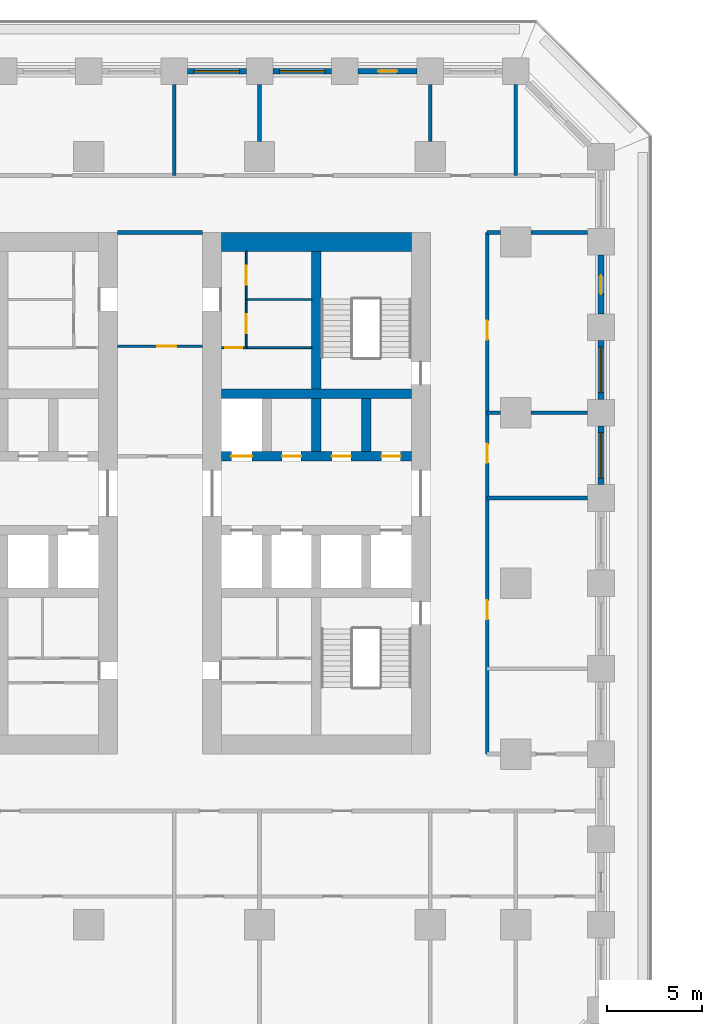
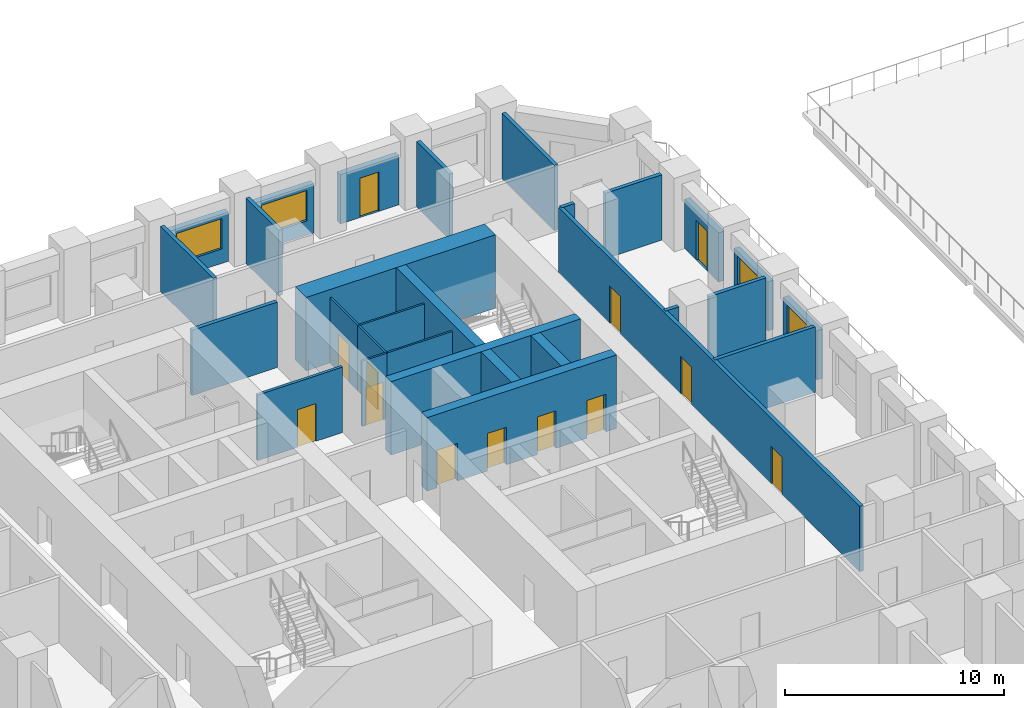
# One storey, part 23 of 30: 29 walls, 13 doors, 4 windows, 17 openings.
"""IFC4 building model written with IfcOpenShell, lengths in metres."""

from ifc_helpers import new_model, si_unit, direction, frame, frame_2d, origin, place, context, subcontext, project, spatial, rectangle, extrude, material, layer, layer_set, type_object, element, fill, save


model = new_model("IFC4")

# Units and contexts
model_context = context("Model", 3, precision=1e-05, world=origin(), true_north=direction((0.0, 1.0)))
body_context = subcontext(model_context, "Body", "Model", "MODEL_VIEW")
ifc_project = project(units=[si_unit("LENGTHUNIT", "METRE"), si_unit("AREAUNIT", "SQUARE_METRE"), si_unit("VOLUMEUNIT", "CUBIC_METRE"), si_unit("PLANEANGLEUNIT", "RADIAN"), si_unit("MASSUNIT", "GRAM", prefix="KILO")], contexts=[model_context])

# Site, building, storey
site_placement = place(None, origin())
site = spatial("IfcSite", under=ifc_project, at=site_placement, CompositionType="ELEMENT")
building_placement = place(site_placement, origin())
building = spatial("IfcBuilding", under=site, at=building_placement, Name="Corbel Stack Research Tower", CompositionType="ELEMENT")
storey_placement = place(building_placement, frame((0.0, 0.0, 19.5)))
storey = spatial("IfcBuildingStorey", under=building, at=storey_placement, Name="L04", CompositionType="ELEMENT", Elevation=19.5)

# Wall
ifc_material_1 = material(Name="Concrete C70/85", Category="concrete")
ifc_layer_1 = layer(ifc_material_1, 1.0)
ifc_layer_set_1 = layer_set([ifc_layer_1], Name="Concrete C70/85")
wall_type_1 = type_object("IfcWallType", Name="CW-1000-70", PredefinedType="SHEAR", material=ifc_layer_set_1)
wall_1_placement = place(storey_placement, frame((7.0, 18.0, 0.0), z_axis=(0.0, 0.0, 1.0), x_axis=(1.0, 0.0, 0.0)))
element("IfcWall", 1, at=wall_1_placement, inside=storey, type_object=wall_type_1, Name="East core wall, north end L04", PredefinedType="SHEAR", context=body_context, shape_type="SweptSolid", body=[
    extrude(rectangle(XDim=10.0, YDim=1.0, at=frame_2d((5.0, 0.0))), origin(), (0.0, 0.0, 1.0), 4.10009765625),
])

# Wall, openings, doors
ifc_material_2 = material(Name="Concrete C70/85", Category="concrete")
ifc_layer_2 = layer(ifc_material_2, 0.5)
ifc_layer_set_2 = layer_set([ifc_layer_2], Name="Concrete C70/85")
wall_type_2 = type_object("IfcWallType", Name="CW-500-70", PredefinedType="SHEAR", material=ifc_layer_set_2)
wall_2_placement = place(storey_placement, frame((7.0, 6.699951171875, 0.0), z_axis=(0.0, 0.0, 1.0), x_axis=(1.0, 0.0, 0.0)))
wall_2 = element("IfcWall", 2, at=wall_2_placement, inside=storey, type_object=wall_type_2, Name="East core wall, lobby north L04", PredefinedType="SHEAR", context=body_context, shape_type="SweptSolid", body=[
    extrude(rectangle(XDim=10.0, YDim=0.5, at=frame_2d((5.0, 0.0))), origin(), (0.0, 0.0, 1.0), 4.10009765625),
])
opening_1_placement = place(wall_2_placement, frame((0.512451171875, 0.0, 0.0)))
opening_1 = element("IfcOpeningElement", 3, at=opening_1_placement, cuts=wall_2, Name="Opening LD-LR4", PredefinedType="OPENING", context=body_context, shape_type="SweptSolid", body=[
    extrude(rectangle(XDim=1.10009765625, YDim=2.10009765625, at=frame_2d((0.550048828125, 1.050048828125))), frame((0.0, 0.260009765625, 0.0), z_axis=(0.0, -1.0, 0.0), x_axis=(1.0, 0.0, 0.0)), (0.0, 0.0, 1.0), 0.52001953125),
])
opening_2_placement = place(wall_2_placement, frame((3.1875, 0.0, 0.0)))
opening_2 = element("IfcOpeningElement", 4, at=opening_2_placement, cuts=wall_2, Name="Opening CR-E24-N2", PredefinedType="OPENING", context=body_context, shape_type="SweptSolid", body=[
    extrude(rectangle(XDim=1.0, YDim=2.10009765625, at=frame_2d((0.5, 1.050048828125))), frame((0.0, 0.260009765625, 0.0), z_axis=(0.0, -1.0, 0.0), x_axis=(1.0, 0.0, 0.0)), (0.0, 0.0, 1.0), 0.52001953125),
])
opening_3_placement = place(wall_2_placement, frame((5.8125, 0.0, 0.0)))
opening_3 = element("IfcOpeningElement", 5, at=opening_3_placement, cuts=wall_2, Name="Opening CR-E24-N3", PredefinedType="OPENING", context=body_context, shape_type="SweptSolid", body=[
    extrude(rectangle(XDim=1.0, YDim=2.10009765625, at=frame_2d((0.5, 1.050048828125))), frame((0.0, 0.260009765625, 0.0), z_axis=(0.0, -1.0, 0.0), x_axis=(1.0, 0.0, 0.0)), (0.0, 0.0, 1.0), 0.52001953125),
])
opening_4_placement = place(wall_2_placement, frame((8.4375, 0.0, 0.0)))
opening_4 = element("IfcOpeningElement", 6, at=opening_4_placement, cuts=wall_2, Name="Opening CR-E24-N4", PredefinedType="OPENING", context=body_context, shape_type="SweptSolid", body=[
    extrude(rectangle(XDim=1.0, YDim=2.10009765625, at=frame_2d((0.5, 1.050048828125))), frame((0.0, 0.260009765625, 0.0), z_axis=(0.0, -1.0, 0.0), x_axis=(1.0, 0.0, 0.0)), (0.0, 0.0, 1.0), 0.52001953125),
])
ifc_material_3 = material(Name="Stainless steel landing door", Category="steel")
door_type_1 = type_object("IfcDoorType", Name="Lift landing door 1100 x 2100", OperationType="DOUBLE_DOOR_SLIDING", PredefinedType="DOOR", material=ifc_material_3)
door_1_placement = place(opening_1_placement, origin())
door_1 = element("IfcDoor", 7, at=door_1_placement, inside=storey, type_object=door_type_1, Name="Landing door LR4", OperationType="DOUBLE_DOOR_SLIDING", OverallHeight=2.10009765625, OverallWidth=1.10009765625, PredefinedType="DOOR", context=body_context, shape_type="SweptSolid", body=[
    extrude(rectangle(XDim=1.10009765625, YDim=2.10009765625, at=frame_2d((0.550048828125, 1.050048828125))), frame((0.0, 0.02490234375, 0.0), z_axis=(0.0, -1.0, 0.0), x_axis=(1.0, 0.0, 0.0)), (0.0, 0.0, 1.0), 0.050048828125),
])
fill(opening_1, door_1)
ifc_material_4 = material(Name="Painted steel door", Category="steel")
door_type_2 = type_object("IfcDoorType", Name="Service door 1000 x 2100 FD60 left hand", OperationType="SINGLE_SWING_LEFT", PredefinedType="DOOR", material=ifc_material_4)
door_2_placement = place(opening_3_placement, origin())
door_2 = element("IfcDoor", 8, at=door_2_placement, inside=storey, type_object=door_type_2, Name="Telecom room door E core", OperationType="SINGLE_SWING_LEFT", OverallHeight=2.10009765625, OverallWidth=1.0, PredefinedType="DOOR", context=body_context, shape_type="SweptSolid", body=[
    extrude(rectangle(XDim=1.0, YDim=2.10009765625, at=frame_2d((0.5, 1.050048828125))), frame((0.0, 0.02490234375, 0.0), z_axis=(0.0, -1.0, 0.0), x_axis=(1.0, 0.0, 0.0)), (0.0, 0.0, 1.0), 0.050048828125),
])
fill(opening_3, door_2)
ifc_material_5 = material(Name="Painted steel door", Category="steel")
door_type_3 = type_object("IfcDoorType", Name="Service door 1000 x 2100 FD60 right hand", OperationType="SINGLE_SWING_RIGHT", PredefinedType="DOOR", material=ifc_material_5)
door_3_placement = place(opening_2_placement, origin())
door_3 = element("IfcDoor", 9, at=door_3_placement, inside=storey, type_object=door_type_3, Name="Mechanical room door E core", OperationType="SINGLE_SWING_RIGHT", OverallHeight=2.10009765625, OverallWidth=1.0, PredefinedType="DOOR", context=body_context, shape_type="SweptSolid", body=[
    extrude(rectangle(XDim=1.0, YDim=2.10009765625, at=frame_2d((0.5, 1.050048828125))), frame((0.0, 0.02490234375, 0.0), z_axis=(0.0, -1.0, 0.0), x_axis=(1.0, 0.0, 0.0)), (0.0, 0.0, 1.0), 0.050048828125),
])
fill(opening_2, door_3)
door_4_placement = place(opening_4_placement, origin())
door_4 = element("IfcDoor", 10, at=door_4_placement, inside=storey, type_object=door_type_3, Name="Copy and supply store door E core", OperationType="SINGLE_SWING_RIGHT", OverallHeight=2.10009765625, OverallWidth=1.0, PredefinedType="DOOR", context=body_context, shape_type="SweptSolid", body=[
    extrude(rectangle(XDim=1.0, YDim=2.10009765625, at=frame_2d((0.5, 1.050048828125))), frame((0.0, 0.02490234375, 0.0), z_axis=(0.0, -1.0, 0.0), x_axis=(1.0, 0.0, 0.0)), (0.0, 0.0, 1.0), 0.050048828125),
])
fill(opening_4, door_4)

# Walls
wall_3_placement = place(storey_placement, frame((7.0, 10.0, 0.0), z_axis=(0.0, 0.0, 1.0), x_axis=(1.0, 0.0, 0.0)))
element("IfcWall", 11, at=wall_3_placement, inside=storey, type_object=wall_type_2, Name="East core wall, north row back L04", PredefinedType="SHEAR", context=body_context, shape_type="SweptSolid", body=[
    extrude(rectangle(XDim=10.0, YDim=0.5, at=frame_2d((5.0, 0.0))), origin(), (0.0, 0.0, 1.0), 4.10009765625),
])
for number, where, z_axis, x_axis, name in (
    (12, (12.0, 6.949951171875, 0.0), (0.0, 0.0, 1.0), (0.0, 1.0, 0.0), "East core wall, north shaft 2 L04"),
    (13, (14.625, 6.949951171875, 0.0), (0.0, 0.0, 1.0), (0.0, 1.0, 0.0), "East core wall, north shaft 3 L04"),
):
    element("IfcWall", number, at=place(storey_placement, frame(where, z_axis=z_axis, x_axis=x_axis)), inside=storey, type_object=wall_type_2, Name=name, PredefinedType="SHEAR", context=body_context, shape_type="SweptSolid", body=[
        extrude(rectangle(XDim=2.800048828125, YDim=0.5, at=frame_2d((1.39990234375, 0.0))), origin(), (0.0, 0.0, 1.0), 4.10009765625),
    ])
wall_4_placement = place(storey_placement, frame((12.0, 10.25, 0.0), z_axis=(0.0, 0.0, 1.0), x_axis=(0.0, 1.0, 0.0)))
element("IfcWall", 14, at=wall_4_placement, inside=storey, type_object=wall_type_2, Name="East core wall, north stair and riser L04", PredefinedType="SHEAR", context=body_context, shape_type="SweptSolid", body=[
    extrude(rectangle(XDim=7.25, YDim=0.5, at=frame_2d((3.625, 0.0))), origin(), (0.0, 0.0, 1.0), 4.10009765625),
])

# Wall, opening, door
ifc_material_6 = material(Name="Gypsum board")
ifc_layer_3 = layer(ifc_material_6, 0.10009765625)
ifc_layer_set_3 = layer_set([ifc_layer_3], Name="Gypsum board")
wall_type_3 = type_object("IfcWallType", Name="Core partition 100", PredefinedType="PARTITIONING", material=ifc_layer_set_3)
wall_5_placement = place(storey_placement, frame((7.0, 12.425048828125, 0.0), z_axis=(0.0, 0.0, 1.0), x_axis=(1.0, 0.0, 0.0)))
wall_5 = element("IfcWall", 15, at=wall_5_placement, inside=storey, type_object=wall_type_3, Name="Core partition E", PredefinedType="PARTITIONING", context=body_context, shape_type="SweptSolid", body=[
    extrude(rectangle(XDim=1.300048828125, YDim=0.10009765625, at=frame_2d((0.64990234375, 0.0))), origin(), (0.0, 0.0, 1.0), 3.64990234375),
])
opening_5_placement = place(wall_5_placement, frame((0.199951171875, 0.0, 0.0)))
opening_5 = element("IfcOpeningElement", 16, at=opening_5_placement, cuts=wall_5, Name="Opening CR-E24-R1-900", PredefinedType="OPENING", context=body_context, shape_type="SweptSolid", body=[
    extrude(rectangle(XDim=0.89990234375, YDim=2.10009765625, at=frame_2d((0.449951171875, 1.050048828125))), frame((0.0, 0.06005859375, 0.0), z_axis=(0.0, -1.0, 0.0), x_axis=(1.0, 0.0, 0.0)), (0.0, 0.0, 1.0), 0.1201171875),
])
ifc_material_7 = material(Name="Painted steel door", Category="steel")
door_type_4 = type_object("IfcDoorType", Name="Riser door 900 x 2100 FD60 right hand", OperationType="SINGLE_SWING_RIGHT", PredefinedType="DOOR", material=ifc_material_7)
door_5_placement = place(opening_5_placement, origin())
door_5 = element("IfcDoor", 17, at=door_5_placement, inside=storey, type_object=door_type_4, Name="Electrical riser door E core", OperationType="SINGLE_SWING_RIGHT", OverallHeight=2.10009765625, OverallWidth=0.89990234375, PredefinedType="DOOR", context=body_context, shape_type="SweptSolid", body=[
    extrude(rectangle(XDim=0.89990234375, YDim=2.10009765625, at=frame_2d((0.449951171875, 1.050048828125))), frame((0.0, 0.02490234375, 0.0), z_axis=(0.0, -1.0, 0.0), x_axis=(1.0, 0.0, 0.0)), (0.0, 0.0, 1.0), 0.050048828125),
])
fill(opening_5, door_5)

# Wall
wall_6_placement = place(storey_placement, frame((8.300048828125, 12.425048828125, 0.0), z_axis=(0.0, 0.0, 1.0), x_axis=(1.0, 0.0, 0.0)))
element("IfcWall", 18, at=wall_6_placement, inside=storey, type_object=wall_type_3, Name="Core partition E", PredefinedType="PARTITIONING", context=body_context, shape_type="SweptSolid", body=[
    extrude(rectangle(XDim=3.449951171875, YDim=0.10009765625, at=frame_2d((1.72509765625, 0.0))), origin(), (0.0, 0.0, 1.0), 3.64990234375),
])

# Wall, opening, door
wall_7_placement = place(storey_placement, frame((8.300048828125, 12.425048828125, 0.0), z_axis=(0.0, 0.0, 1.0), x_axis=(0.0, 1.0, 0.0)))
wall_7 = element("IfcWall", 19, at=wall_7_placement, inside=storey, type_object=wall_type_3, Name="Core partition E", PredefinedType="PARTITIONING", context=body_context, shape_type="SweptSolid", body=[
    extrude(rectangle(XDim=2.537353515625, YDim=0.10009765625, at=frame_2d((1.2685546875, 0.0))), origin(), (0.0, 0.0, 1.0), 3.64990234375),
])
opening_6_placement = place(wall_7_placement, frame((0.768798828125, 0.0, 0.0)))
opening_6 = element("IfcOpeningElement", 20, at=opening_6_placement, cuts=wall_7, Name="Opening CR-E24-R3-1000", PredefinedType="OPENING", context=body_context, shape_type="SweptSolid", body=[
    extrude(rectangle(XDim=1.0, YDim=2.10009765625, at=frame_2d((0.5, 1.050048828125))), frame((0.0, 0.06005859375, 0.0), z_axis=(0.0, -1.0, 0.0), x_axis=(1.0, 0.0, 0.0)), (0.0, 0.0, 1.0), 0.1201171875),
])
ifc_material_8 = material(Name="Painted steel door", Category="steel")
door_type_5 = type_object("IfcDoorType", Name="Service door 1000 x 2100 FD30 right hand", OperationType="SINGLE_SWING_RIGHT", PredefinedType="DOOR", material=ifc_material_8)
door_6_placement = place(opening_6_placement, origin())
door_6 = element("IfcDoor", 21, at=door_6_placement, inside=storey, type_object=door_type_5, Name="Pantry door E core", OperationType="SINGLE_SWING_RIGHT", OverallHeight=2.10009765625, OverallWidth=1.0, PredefinedType="DOOR", context=body_context, shape_type="SweptSolid", body=[
    extrude(rectangle(XDim=1.0, YDim=2.10009765625, at=frame_2d((0.5, 1.050048828125))), frame((0.0, 0.02490234375, 0.0), z_axis=(0.0, -1.0, 0.0), x_axis=(1.0, 0.0, 0.0)), (0.0, 0.0, 1.0), 0.050048828125),
])
fill(opening_6, door_6)

wall_8_placement = place(storey_placement, frame((8.300048828125, 14.96240234375, 0.0), z_axis=(0.0, 0.0, 1.0), x_axis=(0.0, 1.0, 0.0)))
wall_8 = element("IfcWall", 22, at=wall_8_placement, inside=storey, type_object=wall_type_3, Name="Core partition E", PredefinedType="PARTITIONING", context=body_context, shape_type="SweptSolid", body=[
    extrude(rectangle(XDim=2.53759765625, YDim=0.10009765625, at=frame_2d((1.268798828125, 0.0))), origin(), (0.0, 0.0, 1.0), 3.64990234375),
])
opening_7_placement = place(wall_8_placement, frame((0.768798828125, 0.0, 0.0)))
opening_7 = element("IfcOpeningElement", 23, at=opening_7_placement, cuts=wall_8, Name="Opening CR-E24-R4-1000", PredefinedType="OPENING", context=body_context, shape_type="SweptSolid", body=[
    extrude(rectangle(XDim=1.0, YDim=2.10009765625, at=frame_2d((0.5, 1.050048828125))), frame((0.0, 0.06005859375, 0.0), z_axis=(0.0, -1.0, 0.0), x_axis=(1.0, 0.0, 0.0)), (0.0, 0.0, 1.0), 0.1201171875),
])
ifc_material_9 = material(Name="Painted steel door", Category="steel")
door_type_6 = type_object("IfcDoorType", Name="Service door 1000 x 2100 FD30 left hand", OperationType="SINGLE_SWING_LEFT", PredefinedType="DOOR", material=ifc_material_9)
door_7_placement = place(opening_7_placement, origin())
door_7 = element("IfcDoor", 24, at=door_7_placement, inside=storey, type_object=door_type_6, Name="Copy and supply store door E core", OperationType="SINGLE_SWING_LEFT", OverallHeight=2.10009765625, OverallWidth=1.0, PredefinedType="DOOR", context=body_context, shape_type="SweptSolid", body=[
    extrude(rectangle(XDim=1.0, YDim=2.10009765625, at=frame_2d((0.5, 1.050048828125))), frame((0.0, 0.02490234375, 0.0), z_axis=(0.0, -1.0, 0.0), x_axis=(1.0, 0.0, 0.0)), (0.0, 0.0, 1.0), 0.050048828125),
])
fill(opening_7, door_7)

# Walls
wall_9_placement = place(storey_placement, frame((8.300048828125, 14.96240234375, 0.0), z_axis=(0.0, 0.0, 1.0), x_axis=(1.0, 0.0, 0.0)))
element("IfcWall", 25, at=wall_9_placement, inside=storey, type_object=wall_type_3, Name="Core partition E", PredefinedType="PARTITIONING", context=body_context, shape_type="SweptSolid", body=[
    extrude(rectangle(XDim=3.449951171875, YDim=0.10009765625, at=frame_2d((1.72509765625, 0.0))), origin(), (0.0, 0.0, 1.0), 3.64990234375),
])
ifc_material_10 = material(Name="Fire-rated gypsum board partition on steel studs", Category="steel")
ifc_layer_4 = layer(ifc_material_10, 0.199951171875)
ifc_layer_set_4 = layer_set([ifc_layer_4], Name="Fire-rated gypsum board partition on steel studs")
wall_type_4 = type_object("IfcWallType", Name="Fire-rated partition 200 EI 60", PredefinedType="PARTITIONING", material=ifc_layer_set_4)
wall_10_placement = place(storey_placement, frame((4.5, 21.5, 0.0), z_axis=(0.0, 0.0, 1.0), x_axis=(0.0, 1.0, 0.0)))
element("IfcWall", 26, at=wall_10_placement, inside=storey, type_object=wall_type_4, Name="Partition L04-013", PredefinedType="PARTITIONING", context=body_context, shape_type="SweptSolid", body=[
    extrude(rectangle(XDim=4.800048828125, YDim=0.199951171875, at=frame_2d((2.39990234375, 0.0))), origin(), (0.0, 0.0, 1.0), 3.64990234375),
])
for number, where, z_axis, x_axis, name in (
    (27, (9.0, 23.300048828125, 0.0), (0.0, 0.0, 1.0), (0.0, 1.0, 0.0), "Partition L04-016"),
    (28, (18.0, 23.300048828125, 0.0), (0.0, 0.0, 1.0), (0.0, 1.0, 0.0), "Partition L04-019"),
):
    element("IfcWall", number, at=place(storey_placement, frame(where, z_axis=z_axis, x_axis=x_axis)), inside=storey, type_object=wall_type_4, Name=name, PredefinedType="PARTITIONING", context=body_context, shape_type="SweptSolid", body=[
        extrude(rectangle(XDim=3.0, YDim=0.199951171875, at=frame_2d((1.5, 0.0))), origin(), (0.0, 0.0, 1.0), 3.64990234375),
    ])

# Wall, openings, doors
wall_11_placement = place(storey_placement, frame((21.0, 18.5, 0.0), z_axis=(0.0, 0.0, 1.0), x_axis=(0.0, -1.0, 0.0)))
wall_11 = element("IfcWall", 29, at=wall_11_placement, inside=storey, type_object=wall_type_4, Name="Partition L04-020", PredefinedType="PARTITIONING", context=body_context, shape_type="SweptSolid", body=[
    extrude(rectangle(XDim=27.5, YDim=0.199951171875, at=frame_2d((13.75, 0.0))), origin(), (0.0, 0.0, 1.0), 3.64990234375),
])
opening_8_placement = place(wall_11_placement, frame((19.39990234375, 0.0, 0.0)))
opening_8 = element("IfcOpeningElement", 30, at=opening_8_placement, cuts=wall_11, Name="Opening B1V1-028", PredefinedType="OPENING", context=body_context, shape_type="SweptSolid", body=[
    extrude(rectangle(XDim=1.0, YDim=2.10009765625, at=frame_2d((0.5, 1.050048828125))), frame((0.0, 0.10986328125, 0.0), z_axis=(0.0, -1.0, 0.0), x_axis=(1.0, 0.0, 0.0)), (0.0, 0.0, 1.0), 0.219970703125),
])
opening_9_placement = place(wall_11_placement, frame((11.14990234375, 0.0, 0.0)))
opening_9 = element("IfcOpeningElement", 31, at=opening_9_placement, cuts=wall_11, Name="Opening B1V1-029", PredefinedType="OPENING", context=body_context, shape_type="SweptSolid", body=[
    extrude(rectangle(XDim=1.0, YDim=2.10009765625, at=frame_2d((0.5, 1.050048828125))), frame((0.0, 0.10986328125, 0.0), z_axis=(0.0, -1.0, 0.0), x_axis=(1.0, 0.0, 0.0)), (0.0, 0.0, 1.0), 0.219970703125),
])
opening_10_placement = place(wall_11_placement, frame((4.64990234375, 0.0, 0.0)))
opening_10 = element("IfcOpeningElement", 32, at=opening_10_placement, cuts=wall_11, Name="Opening B1V1-030", PredefinedType="OPENING", context=body_context, shape_type="SweptSolid", body=[
    extrude(rectangle(XDim=1.0, YDim=2.10009765625, at=frame_2d((0.5, 1.050048828125))), frame((0.0, 0.10986328125, 0.0), z_axis=(0.0, -1.0, 0.0), x_axis=(1.0, 0.0, 0.0)), (0.0, 0.0, 1.0), 0.219970703125),
])
ifc_material_11 = material(Name="Painted steel fire door", Category="steel")
door_type_7 = type_object("IfcDoorType", Name="Fire door FD30S 1000 x 2100", OperationType="NOTDEFINED", PredefinedType="DOOR", material=ifc_material_11)
door_8_placement = place(opening_8_placement, origin())
door_8 = element("IfcDoor", 33, at=door_8_placement, inside=storey, type_object=door_type_7, Name="Door B1V1-028", OperationType="SINGLE_SWING_RIGHT", OverallHeight=2.10009765625, OverallWidth=1.0, PredefinedType="DOOR", context=body_context, shape_type="SweptSolid", body=[
    extrude(rectangle(XDim=1.0, YDim=2.10009765625, at=frame_2d((0.5, 1.050048828125))), frame((0.0, 0.02490234375, 0.0), z_axis=(0.0, -1.0, 0.0), x_axis=(1.0, 0.0, 0.0)), (0.0, 0.0, 1.0), 0.050048828125),
])
fill(opening_8, door_8)
door_9_placement = place(opening_9_placement, origin())
door_9 = element("IfcDoor", 34, at=door_9_placement, inside=storey, type_object=door_type_7, Name="Door B1V1-029", OperationType="SINGLE_SWING_LEFT", OverallHeight=2.10009765625, OverallWidth=1.0, PredefinedType="DOOR", context=body_context, shape_type="SweptSolid", body=[
    extrude(rectangle(XDim=1.0, YDim=2.10009765625, at=frame_2d((0.5, 1.050048828125))), frame((0.0, 0.02490234375, 0.0), z_axis=(0.0, -1.0, 0.0), x_axis=(1.0, 0.0, 0.0)), (0.0, 0.0, 1.0), 0.050048828125),
])
fill(opening_9, door_9)
door_10_placement = place(opening_10_placement, origin())
door_10 = element("IfcDoor", 35, at=door_10_placement, inside=storey, type_object=door_type_7, Name="Door B1V1-030", OperationType="SINGLE_SWING_LEFT", OverallHeight=2.10009765625, OverallWidth=1.0, PredefinedType="DOOR", context=body_context, shape_type="SweptSolid", body=[
    extrude(rectangle(XDim=1.0, YDim=2.10009765625, at=frame_2d((0.5, 1.050048828125))), frame((0.0, 0.02490234375, 0.0), z_axis=(0.0, -1.0, 0.0), x_axis=(1.0, 0.0, 0.0)), (0.0, 0.0, 1.0), 0.050048828125),
])
fill(opening_10, door_10)

# Walls
wall_12_placement = place(storey_placement, frame((22.5, 21.5, 0.0), z_axis=(0.0, 0.0, 1.0), x_axis=(0.0, 1.0, 0.0)))
element("IfcWall", 36, at=wall_12_placement, inside=storey, type_object=wall_type_4, Name="Partition L04-023", PredefinedType="PARTITIONING", context=body_context, shape_type="SweptSolid", body=[
    extrude(rectangle(XDim=4.800048828125, YDim=0.199951171875, at=frame_2d((2.39990234375, 0.0))), origin(), (0.0, 0.0, 1.0), 3.64990234375),
])
wall_13_placement = place(storey_placement, frame((21.0, 4.5, 0.0), z_axis=(0.0, 0.0, 1.0), x_axis=(1.0, 0.0, 0.0)))
element("IfcWall", 37, at=wall_13_placement, inside=storey, type_object=wall_type_4, Name="Partition L04-033", PredefinedType="PARTITIONING", context=body_context, shape_type="SweptSolid", body=[
    extrude(rectangle(XDim=5.300048828125, YDim=0.199951171875, at=frame_2d((2.64990234375, 0.0))), origin(), (0.0, 0.0, 1.0), 3.64990234375),
])
wall_14_placement = place(storey_placement, frame((21.0, 9.0, 0.0), z_axis=(0.0, 0.0, 1.0), x_axis=(1.0, 0.0, 0.0)))
element("IfcWall", 38, at=wall_14_placement, inside=storey, type_object=wall_type_4, Name="Partition L04-037", PredefinedType="PARTITIONING", context=body_context, shape_type="SweptSolid", body=[
    extrude(rectangle(XDim=0.699951171875, YDim=0.199951171875, at=frame_2d((0.35009765625, 0.0))), origin(), (0.0, 0.0, 1.0), 3.64990234375),
])
wall_15_placement = place(storey_placement, frame((23.300048828125, 9.0, 0.0), z_axis=(0.0, 0.0, 1.0), x_axis=(1.0, 0.0, 0.0)))
element("IfcWall", 39, at=wall_15_placement, inside=storey, type_object=wall_type_4, Name="Partition L04-038", PredefinedType="PARTITIONING", context=body_context, shape_type="SweptSolid", body=[
    extrude(rectangle(XDim=3.0, YDim=0.199951171875, at=frame_2d((1.5, 0.0))), origin(), (0.0, 0.0, 1.0), 3.64990234375),
])
wall_16_placement = place(storey_placement, frame((1.5, 18.5, 0.0), z_axis=(0.0, 0.0, 1.0), x_axis=(1.0, 0.0, 0.0)))
element("IfcWall", 40, at=wall_16_placement, inside=storey, type_object=wall_type_4, Name="Partition L04-042", PredefinedType="PARTITIONING", context=body_context, shape_type="SweptSolid", body=[
    extrude(rectangle(XDim=4.5, YDim=0.199951171875, at=frame_2d((2.25, 0.0))), origin(), (0.0, 0.0, 1.0), 3.64990234375),
])
wall_17_placement = place(storey_placement, frame((21.0, 18.5, 0.0), z_axis=(0.0, 0.0, 1.0), x_axis=(1.0, 0.0, 0.0)))
element("IfcWall", 41, at=wall_17_placement, inside=storey, type_object=wall_type_4, Name="Partition L04-043", PredefinedType="PARTITIONING", context=body_context, shape_type="SweptSolid", body=[
    extrude(rectangle(XDim=0.699951171875, YDim=0.199951171875, at=frame_2d((0.35009765625, 0.0))), origin(), (0.0, 0.0, 1.0), 3.64990234375),
])
wall_18_placement = place(storey_placement, frame((23.300048828125, 18.5, 0.0), z_axis=(0.0, 0.0, 1.0), x_axis=(1.0, 0.0, 0.0)))
element("IfcWall", 42, at=wall_18_placement, inside=storey, type_object=wall_type_4, Name="Partition L04-044", PredefinedType="PARTITIONING", context=body_context, shape_type="SweptSolid", body=[
    extrude(rectangle(XDim=3.0, YDim=0.199951171875, at=frame_2d((1.5, 0.0))), origin(), (0.0, 0.0, 1.0), 3.64990234375),
])

# Wall, opening, door
ifc_material_12 = material(Name="Gypsum board partition on steel studs", Category="steel")
ifc_layer_5 = layer(ifc_material_12, 0.14990234375)
ifc_layer_set_5 = layer_set([ifc_layer_5], Name="Gypsum board partition on steel studs")
wall_type_5 = type_object("IfcWallType", Name="Partition 150", PredefinedType="PARTITIONING", material=ifc_layer_set_5)
wall_19_placement = place(storey_placement, frame((1.5, 12.5, 0.0), z_axis=(0.0, 0.0, 1.0), x_axis=(1.0, 0.0, 0.0)))
wall_19 = element("IfcWall", 43, at=wall_19_placement, inside=storey, type_object=wall_type_5, Name="Partition L04-039", PredefinedType="PARTITIONING", context=body_context, shape_type="SweptSolid", body=[
    extrude(rectangle(XDim=4.5, YDim=0.14990234375, at=frame_2d((2.25, 0.0))), origin(), (0.0, 0.0, 1.0), 3.64990234375),
])
opening_11_placement = place(wall_19_placement, frame((2.10009765625, 0.0, 0.0)))
opening_11 = element("IfcOpeningElement", 44, at=opening_11_placement, cuts=wall_19, Name="Opening B1V1-027", PredefinedType="OPENING", context=body_context, shape_type="SweptSolid", body=[
    extrude(rectangle(XDim=1.0, YDim=2.10009765625, at=frame_2d((0.5, 1.050048828125))), frame((0.0, 0.0849609375, 0.0), z_axis=(0.0, -1.0, 0.0), x_axis=(1.0, 0.0, 0.0)), (0.0, 0.0, 1.0), 0.169921875),
])
ifc_material_13 = material(Name="Painted timber door", Category="wood")
door_type_8 = type_object("IfcDoorType", Name="Single door 1000 x 2100", OperationType="NOTDEFINED", PredefinedType="DOOR", material=ifc_material_13)
door_11_placement = place(opening_11_placement, origin())
door_11 = element("IfcDoor", 45, at=door_11_placement, inside=storey, type_object=door_type_8, Name="Door B1V1-027", OperationType="SINGLE_SWING_RIGHT", OverallHeight=2.10009765625, OverallWidth=1.0, PredefinedType="DOOR", context=body_context, shape_type="SweptSolid", body=[
    extrude(rectangle(XDim=1.0, YDim=2.10009765625, at=frame_2d((0.5, 1.050048828125))), frame((0.0, 0.02490234375, 0.0), z_axis=(0.0, -1.0, 0.0), x_axis=(1.0, 0.0, 0.0)), (0.0, 0.0, 1.0), 0.050048828125),
])
fill(opening_11, door_11)

# Wall, opening, window
ifc_material_14 = material(Name="Concrete C45/55", Category="concrete")
ifc_layer_6 = layer(ifc_material_14, 0.300048828125)
ifc_layer_set_6 = layer_set([ifc_layer_6], Name="Concrete C45/55")
wall_type_6 = type_object("IfcWallType", Name="Terracotta-faced concrete wall 300", PredefinedType="SOLIDWALL", material=ifc_layer_set_6)
wall_20_placement = place(storey_placement, frame((27.0, 8.300048828125, 0.0), z_axis=(0.0, 0.0, 1.0), x_axis=(0.0, -1.0, 0.0)))
wall_20 = element("IfcWall", 46, at=wall_20_placement, inside=storey, type_object=wall_type_6, Name="Facade wall L04 E07", PredefinedType="SOLIDWALL", context=body_context, shape_type="SweptSolid", body=[
    extrude(rectangle(XDim=3.10009765625, YDim=0.300048828125, at=frame_2d((1.550048828125, 0.0))), origin(), (0.0, 0.0, 1.0), 2.75),
])
opening_12_placement = place(wall_20_placement, frame((0.35009765625, 0.0, 0.800048828125)))
opening_12 = element("IfcOpeningElement", 47, at=opening_12_placement, cuts=wall_20, Name="Opening W1", PredefinedType="OPENING", context=body_context, shape_type="SweptSolid", body=[
    extrude(rectangle(XDim=2.39990234375, YDim=1.699951171875, at=frame_2d((1.199951171875, 0.85009765625))), frame((0.0, 0.159912109375, 0.0), z_axis=(0.0, -1.0, 0.0), x_axis=(1.0, 0.0, 0.0)), (0.0, 0.0, 1.0), 0.320068359375),
])
ifc_material_15 = material(Name="Aluminium frame, clear double glazing", Category="aluminium")
window_type = type_object("IfcWindowType", Name="Window W1 2400 x 1700", PartitioningType="SINGLE_PANEL", PredefinedType="WINDOW", material=ifc_material_15)
window_1_placement = place(opening_12_placement, origin())
window_1 = element("IfcWindow", 48, at=window_1_placement, inside=storey, type_object=window_type, Name="Window W1 L04 E07", OverallHeight=1.699951171875, OverallWidth=2.39990234375, PartitioningType="SINGLE_PANEL", PredefinedType="WINDOW", context=body_context, shape_type="SweptSolid", body=[
    extrude(rectangle(XDim=2.39990234375, YDim=1.699951171875, at=frame_2d((1.199951171875, 0.85009765625))), frame((0.0, 0.030029296875, 0.0), z_axis=(0.0, -1.0, 0.0), x_axis=(1.0, 0.0, 0.0)), (0.0, 0.0, 1.0), 0.06005859375),
])
fill(opening_12, window_1)

wall_21_placement = place(storey_placement, frame((27.0, 12.800048828125, 0.0), z_axis=(0.0, 0.0, 1.0), x_axis=(0.0, -1.0, 0.0)))
wall_21 = element("IfcWall", 49, at=wall_21_placement, inside=storey, type_object=wall_type_6, Name="Facade wall L04 E08", PredefinedType="SOLIDWALL", context=body_context, shape_type="SweptSolid", body=[
    extrude(rectangle(XDim=3.10009765625, YDim=0.300048828125, at=frame_2d((1.550048828125, 0.0))), origin(), (0.0, 0.0, 1.0), 2.75),
])
opening_13_placement = place(wall_21_placement, frame((0.35009765625, 0.0, 0.800048828125)))
opening_13 = element("IfcOpeningElement", 50, at=opening_13_placement, cuts=wall_21, Name="Opening W1", PredefinedType="OPENING", context=body_context, shape_type="SweptSolid", body=[
    extrude(rectangle(XDim=2.39990234375, YDim=1.699951171875, at=frame_2d((1.199951171875, 0.85009765625))), frame((0.0, 0.159912109375, 0.0), z_axis=(0.0, -1.0, 0.0), x_axis=(1.0, 0.0, 0.0)), (0.0, 0.0, 1.0), 0.320068359375),
])
window_2_placement = place(opening_13_placement, origin())
window_2 = element("IfcWindow", 51, at=window_2_placement, inside=storey, type_object=window_type, Name="Window W1 L04 E08", OverallHeight=1.699951171875, OverallWidth=2.39990234375, PartitioningType="SINGLE_PANEL", PredefinedType="WINDOW", context=body_context, shape_type="SweptSolid", body=[
    extrude(rectangle(XDim=2.39990234375, YDim=1.699951171875, at=frame_2d((1.199951171875, 0.85009765625))), frame((0.0, 0.030029296875, 0.0), z_axis=(0.0, -1.0, 0.0), x_axis=(1.0, 0.0, 0.0)), (0.0, 0.0, 1.0), 0.06005859375),
])
fill(opening_13, window_2)

# Wall, opening, door
wall_22_placement = place(storey_placement, frame((27.0, 17.300048828125, 0.0), z_axis=(0.0, 0.0, 1.0), x_axis=(0.0, -1.0, 0.0)))
wall_22 = element("IfcWall", 52, at=wall_22_placement, inside=storey, type_object=wall_type_6, Name="Facade wall L04 E09", PredefinedType="SOLIDWALL", context=body_context, shape_type="SweptSolid", body=[
    extrude(rectangle(XDim=3.10009765625, YDim=0.300048828125, at=frame_2d((1.550048828125, 0.0))), origin(), (0.0, 0.0, 1.0), 2.75),
])
opening_14_placement = place(wall_22_placement, frame((1.050048828125, 0.0, 0.0)))
opening_14 = element("IfcOpeningElement", 53, at=opening_14_placement, cuts=wall_22, Name="Opening L04-B05", PredefinedType="OPENING", context=body_context, shape_type="SweptSolid", body=[
    extrude(rectangle(XDim=1.0, YDim=2.199951171875, at=frame_2d((0.5, 1.10009765625))), frame((0.0, 0.159912109375, 0.0), z_axis=(0.0, -1.0, 0.0), x_axis=(1.0, 0.0, 0.0)), (0.0, 0.0, 1.0), 0.320068359375),
])
ifc_material_16 = material(Name="Aluminium frame, clear double glazing", Category="aluminium")
door_type_9 = type_object("IfcDoorType", Name="Balcony door BD1 1000 x 2200", OperationType="NOTDEFINED", PredefinedType="DOOR", material=ifc_material_16)
door_12_placement = place(opening_14_placement, origin())
door_12 = element("IfcDoor", 54, at=door_12_placement, inside=storey, type_object=door_type_9, Name="Balcony door L04-B05", OperationType="SINGLE_SWING_LEFT", OverallHeight=2.199951171875, OverallWidth=1.0, PredefinedType="DOOR", context=body_context, shape_type="SweptSolid", body=[
    extrude(rectangle(XDim=1.0, YDim=2.199951171875, at=frame_2d((0.5, 1.10009765625))), frame((0.0, 0.02490234375, 0.0), z_axis=(0.0, -1.0, 0.0), x_axis=(1.0, 0.0, 0.0)), (0.0, 0.0, 1.0), 0.050048828125),
])
fill(opening_14, door_12)

wall_23_placement = place(storey_placement, frame((14.199951171875, 27.0, 0.0), z_axis=(0.0, 0.0, 1.0), x_axis=(1.0, 0.0, 0.0)))
wall_23 = element("IfcWall", 55, at=wall_23_placement, inside=storey, type_object=wall_type_6, Name="Facade wall L04 N02", PredefinedType="SOLIDWALL", context=body_context, shape_type="SweptSolid", body=[
    extrude(rectangle(XDim=3.10009765625, YDim=0.300048828125, at=frame_2d((1.550048828125, 0.0))), origin(), (0.0, 0.0, 1.0), 2.75),
])
opening_15_placement = place(wall_23_placement, frame((1.050048828125, 0.0, 0.0)))
opening_15 = element("IfcOpeningElement", 56, at=opening_15_placement, cuts=wall_23, Name="Opening L04-B07", PredefinedType="OPENING", context=body_context, shape_type="SweptSolid", body=[
    extrude(rectangle(XDim=1.0, YDim=2.199951171875, at=frame_2d((0.5, 1.10009765625))), frame((0.0, 0.159912109375, 0.0), z_axis=(0.0, -1.0, 0.0), x_axis=(1.0, 0.0, 0.0)), (0.0, 0.0, 1.0), 0.320068359375),
])
door_13_placement = place(opening_15_placement, origin())
door_13 = element("IfcDoor", 57, at=door_13_placement, inside=storey, type_object=door_type_9, Name="Balcony door L04-B07", OperationType="SINGLE_SWING_RIGHT", OverallHeight=2.199951171875, OverallWidth=1.0, PredefinedType="DOOR", context=body_context, shape_type="SweptSolid", body=[
    extrude(rectangle(XDim=1.0, YDim=2.199951171875, at=frame_2d((0.5, 1.10009765625))), frame((0.0, 0.02490234375, 0.0), z_axis=(0.0, -1.0, 0.0), x_axis=(1.0, 0.0, 0.0)), (0.0, 0.0, 1.0), 0.050048828125),
])
fill(opening_15, door_13)

# Wall, opening, window
wall_24_placement = place(storey_placement, frame((9.699951171875, 27.0, 0.0), z_axis=(0.0, 0.0, 1.0), x_axis=(1.0, 0.0, 0.0)))
wall_24 = element("IfcWall", 58, at=wall_24_placement, inside=storey, type_object=wall_type_6, Name="Facade wall L04 N03", PredefinedType="SOLIDWALL", context=body_context, shape_type="SweptSolid", body=[
    extrude(rectangle(XDim=3.10009765625, YDim=0.300048828125, at=frame_2d((1.550048828125, 0.0))), origin(), (0.0, 0.0, 1.0), 2.75),
])
opening_16_placement = place(wall_24_placement, frame((0.35009765625, 0.0, 0.800048828125)))
opening_16 = element("IfcOpeningElement", 59, at=opening_16_placement, cuts=wall_24, Name="Opening W1", PredefinedType="OPENING", context=body_context, shape_type="SweptSolid", body=[
    extrude(rectangle(XDim=2.39990234375, YDim=1.699951171875, at=frame_2d((1.199951171875, 0.85009765625))), frame((0.0, 0.159912109375, 0.0), z_axis=(0.0, -1.0, 0.0), x_axis=(1.0, 0.0, 0.0)), (0.0, 0.0, 1.0), 0.320068359375),
])
window_3_placement = place(opening_16_placement, origin())
window_3 = element("IfcWindow", 60, at=window_3_placement, inside=storey, type_object=window_type, Name="Window W1 L04 N03", OverallHeight=1.699951171875, OverallWidth=2.39990234375, PartitioningType="SINGLE_PANEL", PredefinedType="WINDOW", context=body_context, shape_type="SweptSolid", body=[
    extrude(rectangle(XDim=2.39990234375, YDim=1.699951171875, at=frame_2d((1.199951171875, 0.85009765625))), frame((0.0, 0.030029296875, 0.0), z_axis=(0.0, -1.0, 0.0), x_axis=(1.0, 0.0, 0.0)), (0.0, 0.0, 1.0), 0.06005859375),
])
fill(opening_16, window_3)

wall_25_placement = place(storey_placement, frame((5.199951171875, 27.0, 0.0), z_axis=(0.0, 0.0, 1.0), x_axis=(1.0, 0.0, 0.0)))
wall_25 = element("IfcWall", 61, at=wall_25_placement, inside=storey, type_object=wall_type_6, Name="Facade wall L04 N04", PredefinedType="SOLIDWALL", context=body_context, shape_type="SweptSolid", body=[
    extrude(rectangle(XDim=3.10009765625, YDim=0.300048828125, at=frame_2d((1.550048828125, 0.0))), origin(), (0.0, 0.0, 1.0), 2.75),
])
opening_17_placement = place(wall_25_placement, frame((0.35009765625, 0.0, 0.800048828125)))
opening_17 = element("IfcOpeningElement", 62, at=opening_17_placement, cuts=wall_25, Name="Opening W1", PredefinedType="OPENING", context=body_context, shape_type="SweptSolid", body=[
    extrude(rectangle(XDim=2.39990234375, YDim=1.699951171875, at=frame_2d((1.199951171875, 0.85009765625))), frame((0.0, 0.159912109375, 0.0), z_axis=(0.0, -1.0, 0.0), x_axis=(1.0, 0.0, 0.0)), (0.0, 0.0, 1.0), 0.320068359375),
])
window_4_placement = place(opening_17_placement, origin())
window_4 = element("IfcWindow", 63, at=window_4_placement, inside=storey, type_object=window_type, Name="Window W1 L04 N04", OverallHeight=1.699951171875, OverallWidth=2.39990234375, PartitioningType="SINGLE_PANEL", PredefinedType="WINDOW", context=body_context, shape_type="SweptSolid", body=[
    extrude(rectangle(XDim=2.39990234375, YDim=1.699951171875, at=frame_2d((1.199951171875, 0.85009765625))), frame((0.0, 0.030029296875, 0.0), z_axis=(0.0, -1.0, 0.0), x_axis=(1.0, 0.0, 0.0)), (0.0, 0.0, 1.0), 0.06005859375),
])
fill(opening_17, window_4)

save(model, "model.ifc")
